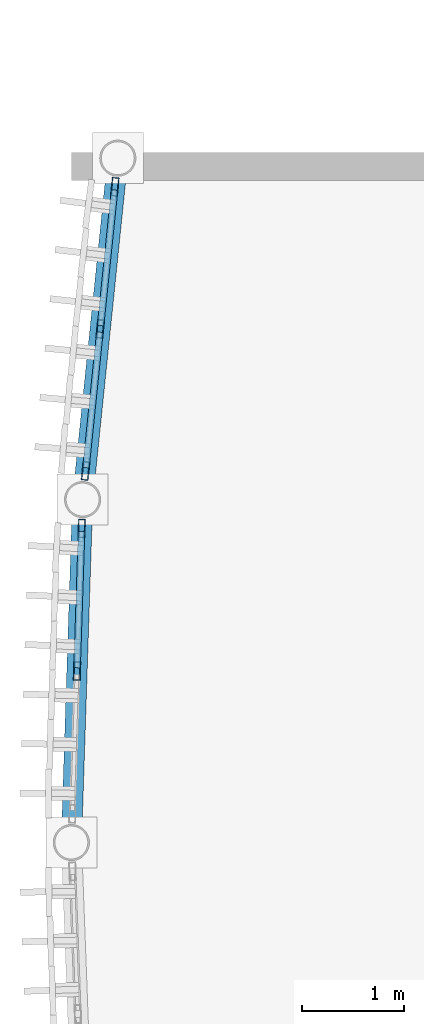
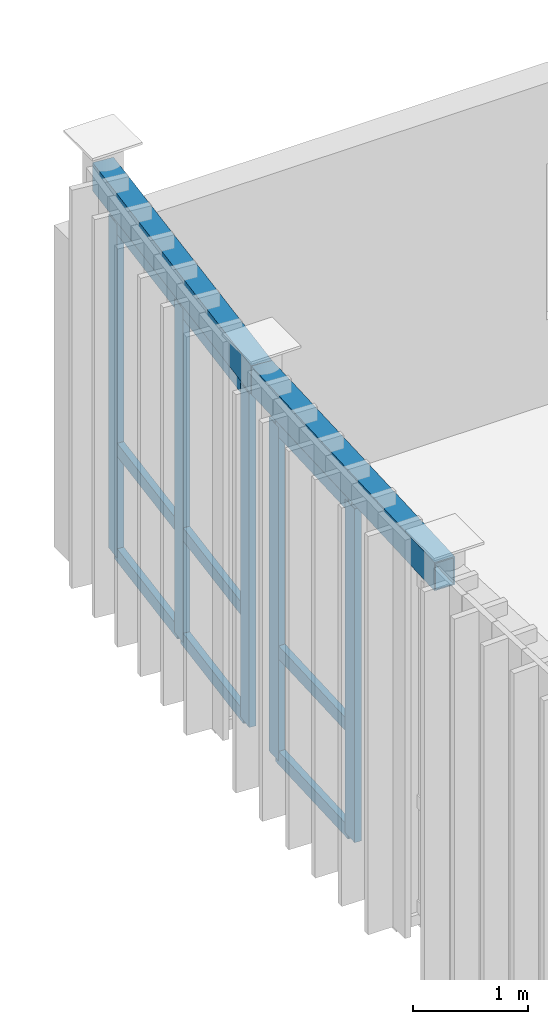
# One storey, part 14 of 26: 14 members, 2 beams, 2 elements without a shape of their own.
"""IFC4 building model written with IfcOpenShell, lengths in metres."""

import ifcopenshell
import ifcopenshell.guid

model = None  # the IFC model being written
_history = None  # IfcOwnerHistory: only IFC2X3 demands one
_inside = {}  # id of a spatial element -> (the spatial element, [elements in it])
_under = {}  # id of a project, library or spatial element -> (it, [spatial elements below it])
_declared = {}  # id of a project -> (the project, [libraries it declares])
_typed = {}  # id of a type object -> (the type object, [elements of that type])
_made_of = {}  # id of a material, layer set ... -> (it, [elements and type objects made of it])


def new_model(schema):
    """Start an empty IFC model of exactly this schema.

    Asked for "IFC4X3", IfcOpenShell would pick the latest addendum, in which some entities
    have other attributes; the version numbers below select the first issue.
    IFC2X3 requires an IfcOwnerHistory on every rooted entity: one is made here for all.
    """
    global model, _history
    if schema == "IFC4X3":
        model = ifcopenshell.file(schema_version=(4, 3, 0, 0))
    else:
        model = ifcopenshell.file(schema=schema)
    _inside.clear()
    _under.clear()
    _declared.clear()
    _typed.clear()
    _made_of.clear()
    _history = None
    if model.schema == "IFC2X3":
        org = make("IfcOrganization", Name="unknown")
        user = make(
            "IfcPersonAndOrganization",
            ThePerson=make("IfcPerson", FamilyName="unknown"),
            TheOrganization=org,
        )
        app = make(
            "IfcApplication",
            ApplicationDeveloper=org,
            Version="unknown",
            ApplicationFullName="unknown",
            ApplicationIdentifier="unknown",
        )
        _history = make(
            "IfcOwnerHistory",
            OwningUser=user,
            OwningApplication=app,
            ChangeAction="ADDED",
            CreationDate=0,
        )
    return model


def make(cls, **values):
    """One entity of the class cls with the attributes given. An attribute that is None is left unset."""
    return model.create_entity(
        cls, **{name: value for name, value in values.items() if value is not None}
    )


def rooted(cls, **values):
    """An entity with a GlobalId (a new one), such as an element, a storey or a relation."""
    return make(cls, GlobalId=ifcopenshell.guid.new(), OwnerHistory=_history, **values)


def si_unit(unit_type, name, prefix=None):
    """IfcSIUnit, for example si_unit("LENGTHUNIT", "METRE", prefix="MILLI")."""
    return make("IfcSIUnit", UnitType=unit_type, Prefix=prefix, Name=name)


def assignment(units):
    """IfcUnitAssignment: the units of a project."""
    return None if units is None else make("IfcUnitAssignment", Units=units)


def point(xyz):
    """IfcCartesianPoint."""
    return None if xyz is None else make("IfcCartesianPoint", Coordinates=xyz)


def direction(xyz):
    """IfcDirection."""
    return None if xyz is None else make("IfcDirection", DirectionRatios=xyz)


def frame(location, z_axis=None, x_axis=None):
    """IfcAxis2Placement3D, a coordinate frame: its origin and axes. An axis left out is left unset."""
    return make(
        "IfcAxis2Placement3D",
        Location=point(location),
        Axis=direction(z_axis),
        RefDirection=direction(x_axis),
    )


def frame_2d(location, x_axis=None):
    """IfcAxis2Placement2D, a coordinate frame in the plane: its origin and x axis."""
    return make(
        "IfcAxis2Placement2D", Location=point(location), RefDirection=direction(x_axis)
    )


def origin():
    """The frame at (0, 0, 0) with its axes left unset."""
    return frame((0.0, 0.0, 0.0))


def origin_2d():
    """The frame at (0, 0) in the plane with its x axis left unset."""
    return frame_2d((0.0, 0.0))


def place(relative_to, where):
    """IfcLocalPlacement: puts the frame where relative to a parent placement (None: the world)."""
    return make(
        "IfcLocalPlacement", PlacementRelTo=relative_to, RelativePlacement=where
    )


def context(
    kind, dimensions, precision=None, world=None, true_north=None, identifier=None
):
    """IfcGeometricRepresentationContext, for example the 3D "Model" context."""
    return make(
        "IfcGeometricRepresentationContext",
        ContextIdentifier=identifier,
        ContextType=kind,
        CoordinateSpaceDimension=dimensions,
        Precision=precision,
        WorldCoordinateSystem=world,
        TrueNorth=true_north,
    )


def subcontext(parent, identifier, kind, view, scale=None):
    """IfcGeometricRepresentationSubContext, for example "Body" below "Model"."""
    return make(
        "IfcGeometricRepresentationSubContext",
        ContextIdentifier=identifier,
        ContextType=kind,
        ParentContext=parent,
        TargetScale=scale,
        TargetView=view,
    )


def project(units=None, contexts=None):
    """IfcProject with its units and contexts."""
    return rooted(
        "IfcProject",
        Name="project",
        RepresentationContexts=contexts,
        UnitsInContext=assignment(units),
    )


def spatial(cls, under=None, at=None, **own):
    """A site, building, storey or space (cls), placed at a placement, below another one or the project."""
    s = rooted(cls, ObjectPlacement=at, **own)
    if under is not None:
        _under.setdefault(under.id(), (under, []))[1].append(s)
    return s


def profile(cls, at=None, kind="AREA", **sizes):
    """A parametric profile (cls). Its sizes go by their IFC names, for example OverallWidth=200.0."""
    return make(cls, ProfileType=kind, Position=at, **sizes)


def hollow_rectangle(**sizes):
    """IfcRectangleHollowProfileDef."""
    return profile("IfcRectangleHollowProfileDef", **sizes)


def extrude(swept, where, along, depth):
    """IfcExtrudedAreaSolid: the profile swept, set in the frame where, extruded along a direction by depth."""
    return make(
        "IfcExtrudedAreaSolid",
        SweptArea=swept,
        Position=where,
        ExtrudedDirection=direction(along),
        Depth=depth,
    )


def shape(context_of_items, identifier, shape_type, items):
    """IfcShapeRepresentation: the items that make up one representation, for example the "Body"."""
    return make(
        "IfcShapeRepresentation",
        ContextOfItems=context_of_items,
        RepresentationIdentifier=identifier,
        RepresentationType=shape_type,
        Items=items,
    )


def material(Name=None, Category=None):
    """IfcMaterial."""
    return make("IfcMaterial", Name=Name, Category=Category)


def layer(
    of_material, thickness, ventilated=None, Name=None, Category=None, Priority=None
):
    """IfcMaterialLayer: one layer of a wall or slab, of a material (None: an air gap)."""
    return make(
        "IfcMaterialLayer",
        Material=of_material,
        LayerThickness=thickness,
        IsVentilated=ventilated,
        Name=Name,
        Category=Category,
        Priority=Priority,
    )


def layer_set(layers, Name=None):
    """IfcMaterialLayerSet."""
    return make("IfcMaterialLayerSet", MaterialLayers=layers, LayerSetName=Name)


def material_profile(
    of_material, cross_section, Name=None, Category=None, Priority=None
):
    """IfcMaterialProfile: a cross section and its material."""
    return make(
        "IfcMaterialProfile",
        Name=Name,
        Material=of_material,
        Profile=cross_section,
        Priority=Priority,
        Category=Category,
    )


def profile_set(profiles, Name=None, composite=None):
    """IfcMaterialProfileSet."""
    return make(
        "IfcMaterialProfileSet",
        Name=Name,
        MaterialProfiles=profiles,
        CompositeProfile=composite,
    )


def made_of(thing, what):
    """Note that an element or type object is made of a material, layer set ...; save() writes the relation."""
    if what is not None:
        _made_of.setdefault(what.id(), (what, []))[1].append(thing)
    return thing


def type_object(cls, material=None, **own):
    """A type object (cls), such as IfcWallType, which elements share."""
    return made_of(rooted(cls, **own), material)


def element(
    cls,
    number,
    at=None,
    inside=None,
    cuts=None,
    type_object=None,
    material=None,
    context=None,
    identifier="Body",
    shape_type=None,
    held_by="IfcProductDefinitionShape",
    body=None,
    shapes=None,
    **own,
):
    """One element of the class cls, such as IfcWall. Its Tag is "e" and its number.

    at: its placement. inside: the storey or other place that contains it. cuts: it is an
    opening in that element (IfcRelVoidsElement). A single representation is given by context,
    identifier, shape_type and body (its items); several are given by shapes. held_by: the class
    of the entity that holds the representations. save() writes the other relations.
    """
    e = rooted(cls, Tag="e%d" % number, ObjectPlacement=at, **own)
    if body is not None:
        shapes = [shape(context, identifier, shape_type, body)]
    if shapes is not None:
        e.Representation = make(held_by, Representations=shapes)
    if inside is not None:
        _inside.setdefault(inside.id(), (inside, []))[1].append(e)
    if cuts is not None:
        rooted(
            "IfcRelVoidsElement", RelatingBuildingElement=cuts, RelatedOpeningElement=e
        )
    if type_object is not None:
        _typed.setdefault(type_object.id(), (type_object, []))[1].append(e)
    return made_of(e, material)


def aggregate(whole, parts):
    """IfcRelAggregates: a whole, such as a stair, and the parts it consists of."""
    return rooted("IfcRelAggregates", RelatingObject=whole, RelatedObjects=parts)


def save(model, path):
    """Write the relations noted so far, then the file.

    IfcRelAggregates (storeys below a building ...), IfcRelContainedInSpatialStructure (elements
    in a storey), IfcRelDefinesByType, IfcRelAssociatesMaterial and IfcRelDeclares: one each for
    every whole, place, type object, material and project.
    """
    for whole, parts in _under.values():
        aggregate(whole, parts)
    for where, things in _inside.values():
        rooted(
            "IfcRelContainedInSpatialStructure",
            RelatedElements=things,
            RelatingStructure=where,
        )
    for kind, things in _typed.values():
        rooted("IfcRelDefinesByType", RelatedObjects=things, RelatingType=kind)
    for what, things in _made_of.values():
        rooted("IfcRelAssociatesMaterial", RelatedObjects=things, RelatingMaterial=what)
    for by, libraries in _declared.values():
        rooted("IfcRelDeclares", RelatingContext=by, RelatedDefinitions=libraries)
    model.write(path)


model = new_model("IFC4")

# Units and contexts
model_context = context("Model", 3, precision=1e-05, world=origin(), true_north=direction((0.0, 1.0)))
body_context = subcontext(model_context, "Body", "Model", "MODEL_VIEW")
ifc_project = project(units=[si_unit("LENGTHUNIT", "METRE"), si_unit("AREAUNIT", "SQUARE_METRE"), si_unit("VOLUMEUNIT", "CUBIC_METRE"), si_unit("PLANEANGLEUNIT", "RADIAN"), si_unit("MASSUNIT", "GRAM", prefix="KILO")], contexts=[model_context])

# Site, building, storey
site_placement = place(None, origin())
site = spatial("IfcSite", under=ifc_project, at=site_placement, CompositionType="ELEMENT")
building_placement = place(site_placement, origin())
building = spatial("IfcBuilding", under=site, at=building_placement, Name="Selat Folded Stagehouse", CompositionType="ELEMENT")
storey_placement = place(building_placement, frame((0.0, 0.0, 23.39990234375)))
storey = spatial("IfcBuildingStorey", under=building, at=storey_placement, Name="L05", CompositionType="ELEMENT", Elevation=23.39990234375)

# Curtain wall, members
ifc_material_1 = material(Name="Aluminium 6063-T6", Category="aluminium")
ifc_layer = layer(ifc_material_1, 0.18505859375)
ifc_layer_set = layer_set([ifc_layer], Name="Aluminium 6063-T6")
curtain_wall_type = type_object("IfcCurtainWallType", Name="CW-DRM-UPPER", PredefinedType="NOTDEFINED", material=ifc_layer_set)
curtain_wall_1_placement = place(storey_placement, origin())
curtain_wall_1 = element("IfcCurtainWall", 1, at=curtain_wall_1_placement, inside=storey, type_object=curtain_wall_type, Name="L05 curtain wall CW-DRM-L05-00", PredefinedType="NOTDEFINED")
ifc_material_profile_1 = material_profile(ifc_material_1, hollow_rectangle(XDim=0.06494140625, YDim=0.179931640625, WallThickness=0.00390625, at=origin_2d()), Name="ALU 180x65x4.0")
ifc_profile_set_1 = profile_set([ifc_material_profile_1], Name="Aluminium 6063-T6")
member_type_1 = type_object("IfcMemberType", Name="CWM-MUL-180x65", PredefinedType="MULLION", material=ifc_profile_set_1)
member_1_placement = place(storey_placement, frame((0.13916015625, 51.52978515625, 0.0), z_axis=(0.0, 0.0, 1.0), x_axis=(-0.994721032614, 0.102616116059, 0.0)))
member_1 = element("IfcMember", 2, at=member_1_placement, type_object=member_type_1, Name="CW-03 mullion 1", PredefinedType="MULLION", context=body_context, shape_type="SweptSolid", body=[
    extrude(hollow_rectangle(XDim=0.06494140625, YDim=0.179931640625, WallThickness=0.00390625, at=origin_2d()), origin(), (0.0, 0.0, 1.0), 3.53515625),
])
member_2_placement = place(storey_placement, frame((0.282958984375, 52.92431640625, 0.0), z_axis=(0.0, 0.0, 1.0), x_axis=(-0.994721032614, 0.102616116059, 0.0)))
member_2 = element("IfcMember", 3, at=member_2_placement, type_object=member_type_1, Name="CW-03 mullion 2", PredefinedType="MULLION", context=body_context, shape_type="SweptSolid", body=[
    extrude(hollow_rectangle(XDim=0.06494140625, YDim=0.179931640625, WallThickness=0.00390625, at=origin_2d()), origin(), (0.0, 0.0, 1.0), 3.53515625),
])
member_3_placement = place(storey_placement, frame((0.4267578125, 54.319091796875, 0.0), z_axis=(0.0, 0.0, 1.0), x_axis=(-0.994721032614, 0.102616116059, 0.0)))
member_3 = element("IfcMember", 4, at=member_3_placement, type_object=member_type_1, Name="CW-03 mullion 3", PredefinedType="MULLION", context=body_context, shape_type="SweptSolid", body=[
    extrude(hollow_rectangle(XDim=0.06494140625, YDim=0.179931640625, WallThickness=0.00390625, at=origin_2d()), origin(), (0.0, 0.0, 1.0), 3.53515625),
])

curtain_wall_2_placement = place(storey_placement, origin())
curtain_wall_2 = element("IfcCurtainWall", 5, at=curtain_wall_2_placement, inside=storey, type_object=curtain_wall_type, Name="L05 curtain wall CW-DRM-L05-01", PredefinedType="NOTDEFINED")
member_4_placement = place(storey_placement, frame((0.05517578125, 49.565185546875, 0.0), z_axis=(0.0, 0.0, 1.0), x_axis=(-0.999467648801, 0.032625434862, 0.0)))
member_4 = element("IfcMember", 6, at=member_4_placement, type_object=member_type_1, Name="CW-03 mullion 2", PredefinedType="MULLION", context=body_context, shape_type="SweptSolid", body=[
    extrude(hollow_rectangle(XDim=0.06494140625, YDim=0.179931640625, WallThickness=0.00390625, at=origin_2d()), origin(), (0.0, 0.0, 1.0), 3.53515625),
])
member_5_placement = place(storey_placement, frame((0.100830078125, 50.96630859375, 0.0), z_axis=(0.0, 0.0, 1.0), x_axis=(-0.999467648801, 0.032625434862, 0.0)))
member_5 = element("IfcMember", 7, at=member_5_placement, type_object=member_type_1, Name="CW-03 mullion 3", PredefinedType="MULLION", context=body_context, shape_type="SweptSolid", body=[
    extrude(hollow_rectangle(XDim=0.06494140625, YDim=0.179931640625, WallThickness=0.00390625, at=origin_2d()), origin(), (0.0, 0.0, 1.0), 3.53515625),
])

# Member
ifc_material_profile_2 = material_profile(ifc_material_1, hollow_rectangle(XDim=0.06494140625, YDim=0.139892578125, WallThickness=0.00390625, at=origin_2d()), Name="ALU 140x65x4.0")
ifc_profile_set_2 = profile_set([ifc_material_profile_2], Name="Aluminium 6063-T6")
member_type_2 = type_object("IfcMemberType", Name="CWM-TRN-140x65", PredefinedType="USERDEFINED", material=ifc_profile_set_2)
member_6_placement = place(storey_placement, frame((0.142578125, 51.562255859375, 0.03271484375), z_axis=(0.102631236213, 0.994719472692, 0.0), x_axis=(-0.994719472692, 0.102631236213, 0.0)))
member_6 = element("IfcMember", 8, at=member_6_placement, type_object=member_type_2, Name="CW-03 transom 1.1", ObjectType="TRANSOM", PredefinedType="USERDEFINED", context=body_context, shape_type="SweptSolid", body=[
    extrude(hollow_rectangle(XDim=0.06494140625, YDim=0.139892578125, WallThickness=0.00390625, at=origin_2d()), origin(), (0.0, 0.0, 1.0), 1.3369140625),
])

member_7_placement = place(storey_placement, frame((0.142578125, 51.562255859375, 1.150146484375), z_axis=(0.102631236213, 0.994719472692, 0.0), x_axis=(-0.994719472692, 0.102631236213, 0.0)))
member_7 = element("IfcMember", 9, at=member_7_placement, type_object=member_type_2, Name="CW-03 transom 1.2", ObjectType="TRANSOM", PredefinedType="USERDEFINED", context=body_context, shape_type="SweptSolid", body=[
    extrude(hollow_rectangle(XDim=0.06494140625, YDim=0.139892578125, WallThickness=0.00390625, at=origin_2d()), origin(), (0.0, 0.0, 1.0), 1.3369140625),
])

member_8_placement = place(storey_placement, frame((0.142578125, 51.562255859375, 3.502685546875), z_axis=(0.102631236213, 0.994719472692, 0.0), x_axis=(-0.994719472692, 0.102631236213, 0.0)))
member_8 = element("IfcMember", 10, at=member_8_placement, type_object=member_type_2, Name="CW-03 transom 1.3", ObjectType="TRANSOM", PredefinedType="USERDEFINED", context=body_context, shape_type="SweptSolid", body=[
    extrude(hollow_rectangle(XDim=0.06494140625, YDim=0.139892578125, WallThickness=0.00390625, at=origin_2d()), origin(), (0.0, 0.0, 1.0), 1.3369140625),
])

member_9_placement = place(storey_placement, frame((0.286376953125, 52.956787109375, 0.03271484375), z_axis=(0.102631236213, 0.994719472692, 0.0), x_axis=(-0.994719472692, 0.102631236213, 0.0)))
member_9 = element("IfcMember", 11, at=member_9_placement, type_object=member_type_2, Name="CW-03 transom 2.1", ObjectType="TRANSOM", PredefinedType="USERDEFINED", context=body_context, shape_type="SweptSolid", body=[
    extrude(hollow_rectangle(XDim=0.06494140625, YDim=0.139892578125, WallThickness=0.00390625, at=origin_2d()), origin(), (0.0, 0.0, 1.0), 1.3369140625),
])

member_10_placement = place(storey_placement, frame((0.286376953125, 52.956787109375, 1.150146484375), z_axis=(0.102631236213, 0.994719472692, 0.0), x_axis=(-0.994719472692, 0.102631236213, 0.0)))
member_10 = element("IfcMember", 12, at=member_10_placement, type_object=member_type_2, Name="CW-03 transom 2.2", ObjectType="TRANSOM", PredefinedType="USERDEFINED", context=body_context, shape_type="SweptSolid", body=[
    extrude(hollow_rectangle(XDim=0.06494140625, YDim=0.139892578125, WallThickness=0.00390625, at=origin_2d()), origin(), (0.0, 0.0, 1.0), 1.3369140625),
])

member_11_placement = place(storey_placement, frame((0.286376953125, 52.956787109375, 3.502685546875), z_axis=(0.102631236213, 0.994719472692, 0.0), x_axis=(-0.994719472692, 0.102631236213, 0.0)))
member_11 = element("IfcMember", 13, at=member_11_placement, type_object=member_type_2, Name="CW-03 transom 2.3", ObjectType="TRANSOM", PredefinedType="USERDEFINED", context=body_context, shape_type="SweptSolid", body=[
    extrude(hollow_rectangle(XDim=0.06494140625, YDim=0.139892578125, WallThickness=0.00390625, at=origin_2d()), origin(), (0.0, 0.0, 1.0), 1.3369140625),
])

aggregate(curtain_wall_1, [member_1, member_2, member_3, member_6, member_7, member_8, member_9, member_10, member_11])

member_12_placement = place(storey_placement, frame((0.05615234375, 49.59765625, 0.03271484375), z_axis=(0.032688532814, 0.999465587113, 0.0), x_axis=(-0.999465587113, 0.032688532814, 0.0)))
member_12 = element("IfcMember", 14, at=member_12_placement, type_object=member_type_2, Name="CW-03 transom 2.1", ObjectType="TRANSOM", PredefinedType="USERDEFINED", context=body_context, shape_type="SweptSolid", body=[
    extrude(hollow_rectangle(XDim=0.06494140625, YDim=0.139892578125, WallThickness=0.00390625, at=origin_2d()), origin(), (0.0, 0.0, 1.0), 1.3369140625),
])

member_13_placement = place(storey_placement, frame((0.05615234375, 49.59765625, 1.150146484375), z_axis=(0.032688532814, 0.999465587113, 0.0), x_axis=(-0.999465587113, 0.032688532814, 0.0)))
member_13 = element("IfcMember", 15, at=member_13_placement, type_object=member_type_2, Name="CW-03 transom 2.2", ObjectType="TRANSOM", PredefinedType="USERDEFINED", context=body_context, shape_type="SweptSolid", body=[
    extrude(hollow_rectangle(XDim=0.06494140625, YDim=0.139892578125, WallThickness=0.00390625, at=origin_2d()), origin(), (0.0, 0.0, 1.0), 1.3369140625),
])

member_14_placement = place(storey_placement, frame((0.05615234375, 49.59765625, 3.502685546875), z_axis=(0.032688532814, 0.999465587113, 0.0), x_axis=(-0.999465587113, 0.032688532814, 0.0)))
member_14 = element("IfcMember", 16, at=member_14_placement, type_object=member_type_2, Name="CW-03 transom 2.3", ObjectType="TRANSOM", PredefinedType="USERDEFINED", context=body_context, shape_type="SweptSolid", body=[
    extrude(hollow_rectangle(XDim=0.06494140625, YDim=0.139892578125, WallThickness=0.00390625, at=origin_2d()), origin(), (0.0, 0.0, 1.0), 1.3369140625),
])

aggregate(curtain_wall_2, [member_4, member_5, member_12, member_13, member_14])

# Beams
ifc_material_2 = material(Name="Steel S355", Category="steel")
ifc_material_profile_3 = material_profile(ifc_material_2, hollow_rectangle(XDim=0.199951171875, YDim=0.300048828125, WallThickness=0.012451171875, at=origin_2d()), Name="RHS 300x200x12.5")
ifc_profile_set_3 = profile_set([ifc_material_profile_3], Name="Steel S355")
beam_type = type_object("IfcBeamType", Name="SPD-RHS-300x200", PredefinedType="SPANDREL", material=ifc_profile_set_3)
beam_1_placement = place(storey_placement, frame((0.455810546875, 54.60009765625, 3.8251953125), z_axis=(-0.102609885069, -0.994721675388, 0.0), x_axis=(0.994721675388, -0.102609885069, 0.0)))
element("IfcBeam", 17, at=beam_1_placement, inside=storey, type_object=beam_type, Name="L05 curved drum spandrel beam 1", PredefinedType="SPANDREL", context=body_context, shape_type="SweptSolid", body=[
    extrude(hollow_rectangle(XDim=0.199951171875, YDim=0.300048828125, WallThickness=0.012451171875, at=origin_2d()), origin(), (0.0, 0.0, 1.0), 3.369140625),
])
beam_2_placement = place(storey_placement, frame((0.110107421875, 51.248779296875, 3.8251953125), z_axis=(-0.03268264694, -0.999465779599, 0.0), x_axis=(0.999465779599, -0.03268264694, 0.0)))
element("IfcBeam", 18, at=beam_2_placement, inside=storey, type_object=beam_type, Name="L05 curved drum spandrel beam 2", PredefinedType="SPANDREL", context=body_context, shape_type="SweptSolid", body=[
    extrude(hollow_rectangle(XDim=0.199951171875, YDim=0.300048828125, WallThickness=0.012451171875, at=origin_2d()), origin(), (0.0, 0.0, 1.0), 3.368896484375),
])

save(model, "model.ifc")
